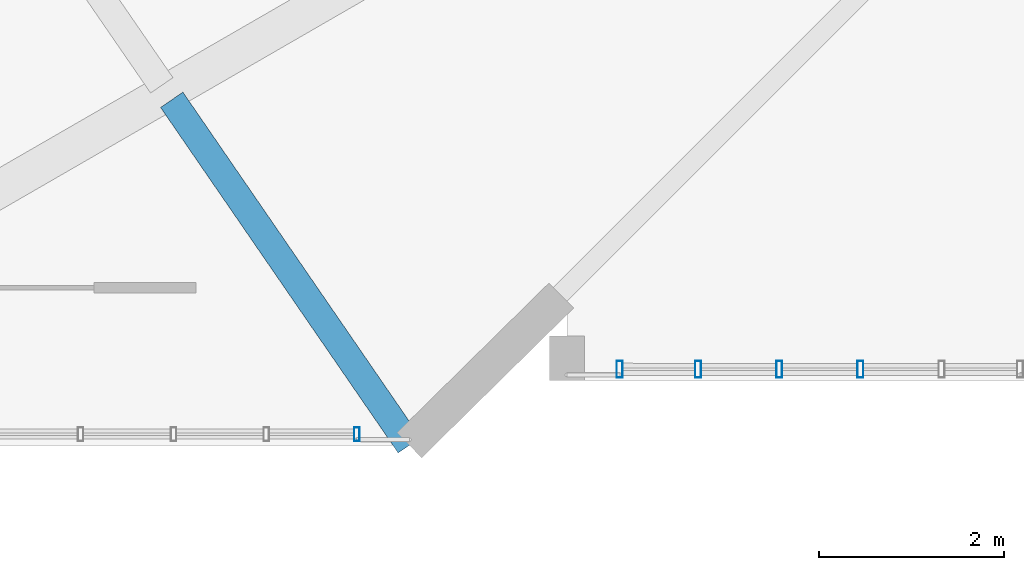
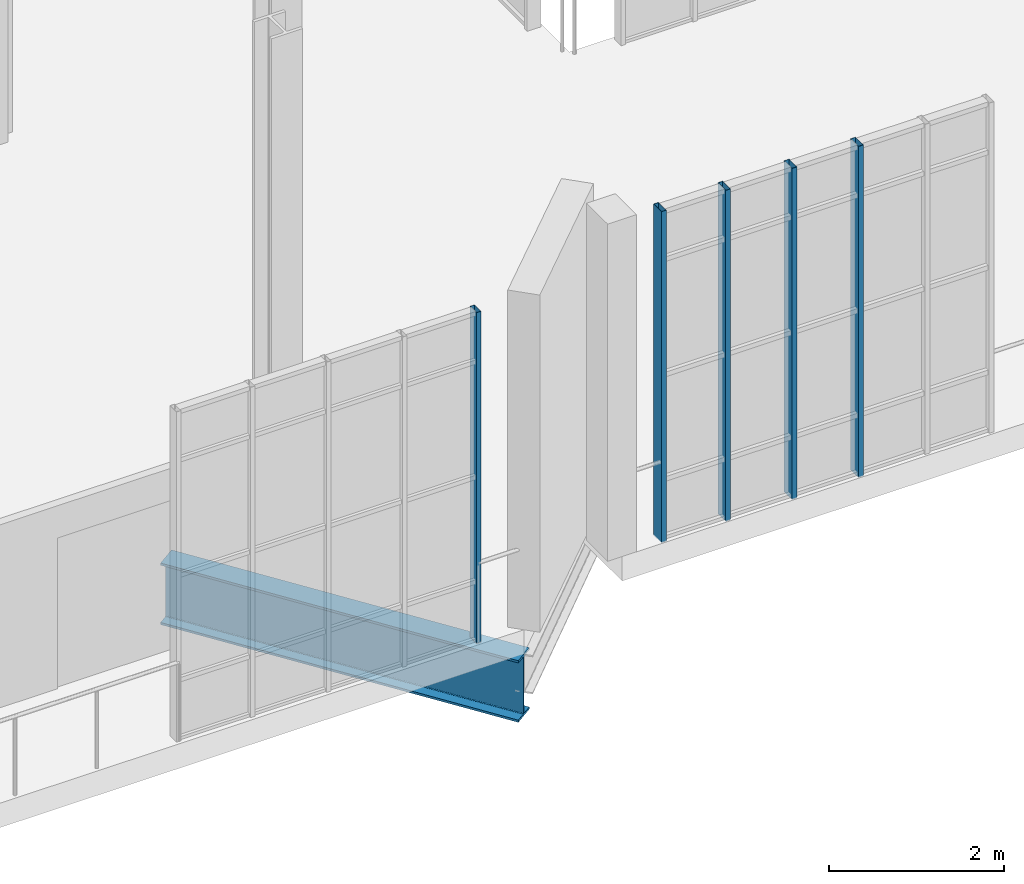
# One storey, part 45 of 189: 5 members, 1 beam, 2 elements without a shape of their own.
"""IFC4 building model written with IfcOpenShell, lengths in metres."""

from ifc_helpers import new_model, si_unit, direction, frame, origin, origin_2d, place, context, subcontext, project, spatial, hollow_rectangle, i_section, extrude, material, layer, layer_set, material_profile, profile_set, type_object, element, aggregate, save


model = new_model("IFC4")

# Units and contexts
model_context = context("Model", 3, precision=1e-05, world=origin(), true_north=direction((0.0, 1.0)))
body_context = subcontext(model_context, "Body", "Model", "MODEL_VIEW")
ifc_project = project(units=[si_unit("LENGTHUNIT", "METRE"), si_unit("AREAUNIT", "SQUARE_METRE"), si_unit("VOLUMEUNIT", "CUBIC_METRE"), si_unit("PLANEANGLEUNIT", "RADIAN"), si_unit("MASSUNIT", "GRAM", prefix="KILO"), si_unit("THERMODYNAMICTEMPERATUREUNIT", "KELVIN"), si_unit("POWERUNIT", "WATT")], contexts=[model_context])

# Site, building, storey
site_placement = place(None, origin())
site = spatial("IfcSite", under=ifc_project, at=site_placement, CompositionType="ELEMENT")
building_placement = place(site_placement, origin())
building = spatial("IfcBuilding", under=site, at=building_placement, Name="Zelmaris Science Centre", CompositionType="ELEMENT")
storey_placement = place(building_placement, origin())
storey = spatial("IfcBuildingStorey", under=building, at=storey_placement, Name="L00", CompositionType="ELEMENT", Elevation=0.0)

# Curtain wall, member
ifc_material_1 = material(Name="Anodised architectural aluminium 6063-T6", Category="aluminium")
ifc_layer_1 = layer(ifc_material_1, 0.219970703125, Name="Anodised architectural aluminium 6063-T6")
ifc_layer_set_1 = layer_set([ifc_layer_1], Name="Anodised architectural aluminium 6063-T6")
curtain_wall_type_1 = type_object("IfcCurtainWallType", Name="Curtain Wall CW-04", PredefinedType="USERDEFINED", material=ifc_layer_set_1)
curtain_wall_1_placement = place(storey_placement, origin())
curtain_wall_1 = element("IfcCurtainWall", 1, at=curtain_wall_1_placement, inside=storey, type_object=curtain_wall_type_1, Name="L00 Unitised curtain wall 116", ObjectType="GLAZED CURTAIN WALL", PredefinedType="USERDEFINED")
ifc_material_profile_1 = material_profile(ifc_material_1, hollow_rectangle(XDim=0.06005859375, YDim=0.14990234375, WallThickness=0.00341796875, at=origin_2d()), Name="ALU-MUL-60X150")
ifc_profile_set_1 = profile_set([ifc_material_profile_1], Name="Anodised architectural aluminium 6063-T6")
member_type_1 = type_object("IfcMemberType", Name="ALU-MUL-60X150", PredefinedType="MULLION", material=ifc_profile_set_1)
member_1_placement = place(storey_placement, frame((91.23388671875, 20.420166015625, -0.014892578125), z_axis=(0.0, 0.0, 1.0), x_axis=(-0.999999999994, -3.490659e-06, 0.0)))
member_1 = element("IfcMember", 2, at=member_1_placement, type_object=member_type_1, Name="CW-04 mullion 1", PredefinedType="MULLION", context=body_context, shape_type="SweptSolid", body=[
    extrude(hollow_rectangle(XDim=0.06005859375, YDim=0.14990234375, WallThickness=0.00341796875, at=origin_2d()), origin(), (0.0, 0.0, 1.0), 4.614990234375),
])
aggregate(curtain_wall_1, [member_1])

# Curtain wall, members
ifc_layer_2 = layer(ifc_material_1, 0.2099609375, Name="Anodised architectural aluminium 6063-T6")
ifc_layer_set_2 = layer_set([ifc_layer_2], Name="Anodised architectural aluminium 6063-T6")
curtain_wall_type_2 = type_object("IfcCurtainWallType", Name="Curtain Wall CW-03", PredefinedType="USERDEFINED", material=ifc_layer_set_2)
curtain_wall_2_placement = place(storey_placement, origin())
curtain_wall_2 = element("IfcCurtainWall", 3, at=curtain_wall_2_placement, inside=storey, type_object=curtain_wall_type_2, Name="L00 Unitised curtain wall 115", ObjectType="GLAZED CURTAIN WALL", PredefinedType="USERDEFINED")
ifc_material_profile_2 = material_profile(ifc_material_1, hollow_rectangle(XDim=0.06494140625, YDim=0.179931640625, WallThickness=0.00390625, at=origin_2d()), Name="ALU-MUL-65X180")
ifc_profile_set_2 = profile_set([ifc_material_profile_2], Name="Anodised architectural aluminium 6063-T6")
member_type_2 = type_object("IfcMemberType", Name="ALU-MUL-65X180", PredefinedType="MULLION", material=ifc_profile_set_2)
member_2_placement = place(storey_placement, frame((96.66650390625, 21.119873046875, -0.014892578125), z_axis=(0.0, 0.0, 1.0), x_axis=(-0.999999996491, 8.3775804e-05, 0.0)))
member_2 = element("IfcMember", 4, at=member_2_placement, type_object=member_type_2, Name="CW-03 mullion 3", PredefinedType="MULLION", context=body_context, shape_type="SweptSolid", body=[
    extrude(hollow_rectangle(XDim=0.06494140625, YDim=0.179931640625, WallThickness=0.00390625, at=origin_2d()), origin(), (0.0, 0.0, 1.0), 4.614990234375),
])
member_3_placement = place(storey_placement, frame((95.791015625, 21.119873046875, -0.014892578125), z_axis=(0.0, 0.0, 1.0), x_axis=(-0.999999996491, 8.3775804e-05, 0.0)))
member_3 = element("IfcMember", 5, at=member_3_placement, type_object=member_type_2, Name="CW-03 mullion 4", PredefinedType="MULLION", context=body_context, shape_type="SweptSolid", body=[
    extrude(hollow_rectangle(XDim=0.06494140625, YDim=0.179931640625, WallThickness=0.00390625, at=origin_2d()), origin(), (0.0, 0.0, 1.0), 4.614990234375),
])
member_4_placement = place(storey_placement, frame((94.91552734375, 21.119873046875, -0.014892578125), z_axis=(0.0, 0.0, 1.0), x_axis=(-0.999999996491, 8.3775804e-05, 0.0)))
member_4 = element("IfcMember", 6, at=member_4_placement, type_object=member_type_2, Name="CW-03 mullion 5", PredefinedType="MULLION", context=body_context, shape_type="SweptSolid", body=[
    extrude(hollow_rectangle(XDim=0.06494140625, YDim=0.179931640625, WallThickness=0.00390625, at=origin_2d()), origin(), (0.0, 0.0, 1.0), 4.614990234375),
])
member_5_placement = place(storey_placement, frame((94.068603515625, 21.1201171875, -0.014892578125), z_axis=(0.0, 0.0, 1.0), x_axis=(-0.999999996491, 8.3775804e-05, 0.0)))
member_5 = element("IfcMember", 7, at=member_5_placement, type_object=member_type_2, Name="CW-03 mullion 6", PredefinedType="MULLION", context=body_context, shape_type="SweptSolid", body=[
    extrude(hollow_rectangle(XDim=0.06494140625, YDim=0.179931640625, WallThickness=0.00390625, at=origin_2d()), origin(), (0.0, 0.0, 1.0), 4.614990234375),
])
aggregate(curtain_wall_2, [member_2, member_3, member_4, member_5])

# Beam
ifc_material_2 = material(Name="Steel ASTM A992 Grade 50", Category="steel")
ifc_material_profile_3 = material_profile(ifc_material_2, i_section(OverallWidth=0.2919921875, OverallDepth=0.85888671875, WebThickness=0.01708984375, FlangeThickness=0.031005859375, FilletRadius=0.02001953125, at=origin_2d()), Name="W33X169")
ifc_profile_set_3 = profile_set([ifc_material_profile_3], Name="Steel ASTM A992 Grade 50")
beam_type = type_object("IfcBeamType", Name="Beam G-29 W33X169", PredefinedType="BEAM", material=ifc_profile_set_3)
beam_placement = place(storey_placement, frame((89.236083984375, 24.027099609375, -0.76953125), z_axis=(0.566771582571, -0.823874974246, 0.0), x_axis=(0.823874974246, 0.566771582571, 0.0)))
element("IfcBeam", 8, at=beam_placement, inside=storey, type_object=beam_type, Name="L00 Radial overhang girder 3", PredefinedType="BEAM", context=body_context, shape_type="SweptSolid", body=[
    extrude(i_section(OverallWidth=0.2919921875, OverallDepth=0.85888671875, WebThickness=0.01708984375, FlangeThickness=0.031005859375, FilletRadius=0.02001953125, at=origin_2d()), origin(), (0.0, 0.0, 1.0), 4.52392578125),
])

save(model, "model.ifc")
